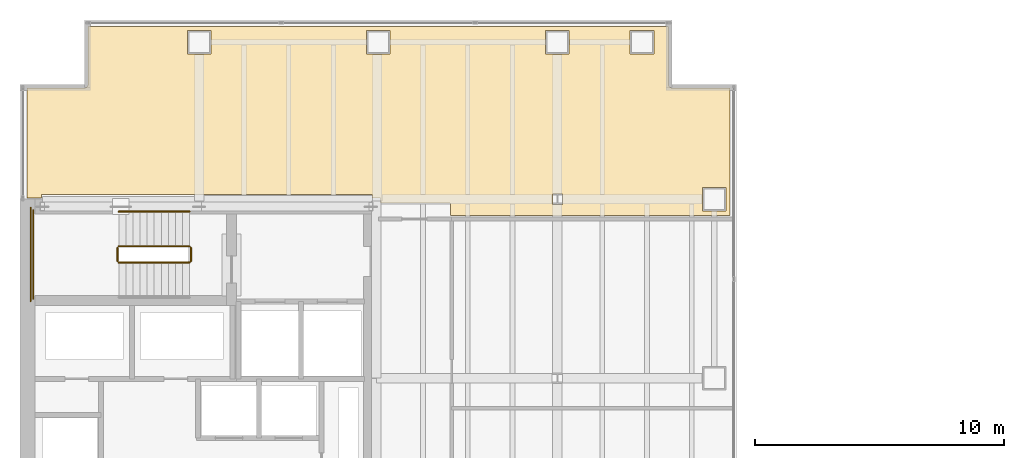
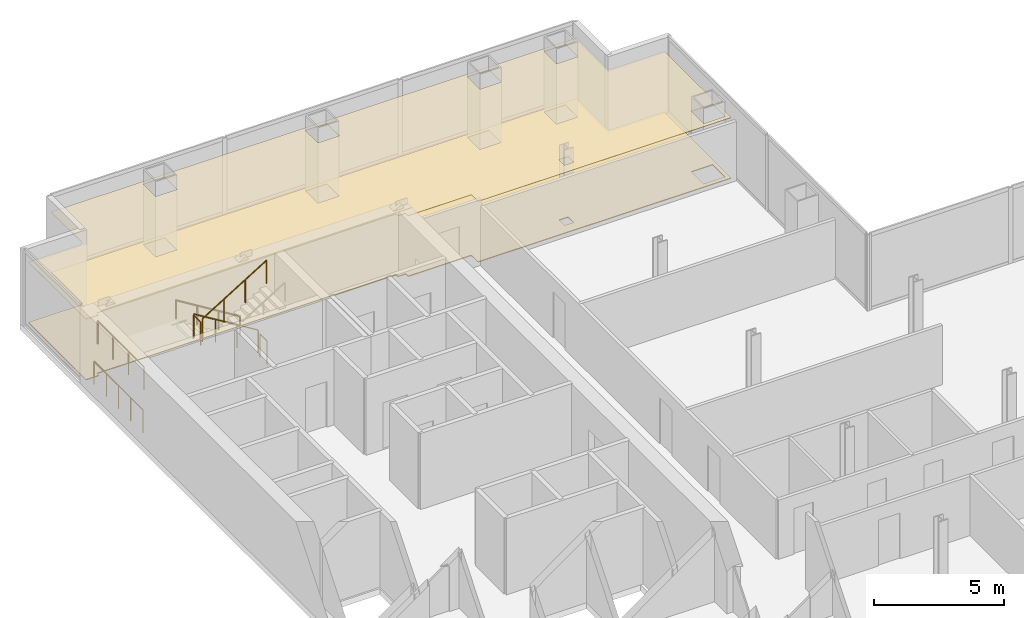
# One storey, part 24 of 24: 7 railings, 2 coverings.
"""IFC4 building model written with IfcOpenShell, lengths in metres."""

import ifcopenshell
import ifcopenshell.guid

model = None  # the IFC model being written
_history = None  # IfcOwnerHistory: only IFC2X3 demands one
_inside = {}  # id of a spatial element -> (the spatial element, [elements in it])
_under = {}  # id of a project, library or spatial element -> (it, [spatial elements below it])
_declared = {}  # id of a project -> (the project, [libraries it declares])
_typed = {}  # id of a type object -> (the type object, [elements of that type])
_made_of = {}  # id of a material, layer set ... -> (it, [elements and type objects made of it])


def new_model(schema):
    """Start an empty IFC model of exactly this schema.

    Asked for "IFC4X3", IfcOpenShell would pick the latest addendum, in which some entities
    have other attributes; the version numbers below select the first issue.
    IFC2X3 requires an IfcOwnerHistory on every rooted entity: one is made here for all.
    """
    global model, _history
    if schema == "IFC4X3":
        model = ifcopenshell.file(schema_version=(4, 3, 0, 0))
    else:
        model = ifcopenshell.file(schema=schema)
    _inside.clear()
    _under.clear()
    _declared.clear()
    _typed.clear()
    _made_of.clear()
    _history = None
    if model.schema == "IFC2X3":
        org = make("IfcOrganization", Name="unknown")
        user = make(
            "IfcPersonAndOrganization",
            ThePerson=make("IfcPerson", FamilyName="unknown"),
            TheOrganization=org,
        )
        app = make(
            "IfcApplication",
            ApplicationDeveloper=org,
            Version="unknown",
            ApplicationFullName="unknown",
            ApplicationIdentifier="unknown",
        )
        _history = make(
            "IfcOwnerHistory",
            OwningUser=user,
            OwningApplication=app,
            ChangeAction="ADDED",
            CreationDate=0,
        )
    return model


def make(cls, **values):
    """One entity of the class cls with the attributes given. An attribute that is None is left unset."""
    return model.create_entity(
        cls, **{name: value for name, value in values.items() if value is not None}
    )


def rooted(cls, **values):
    """An entity with a GlobalId (a new one), such as an element, a storey or a relation."""
    return make(cls, GlobalId=ifcopenshell.guid.new(), OwnerHistory=_history, **values)


def si_unit(unit_type, name, prefix=None):
    """IfcSIUnit, for example si_unit("LENGTHUNIT", "METRE", prefix="MILLI")."""
    return make("IfcSIUnit", UnitType=unit_type, Prefix=prefix, Name=name)


def assignment(units):
    """IfcUnitAssignment: the units of a project."""
    return None if units is None else make("IfcUnitAssignment", Units=units)


def point(xyz):
    """IfcCartesianPoint."""
    return None if xyz is None else make("IfcCartesianPoint", Coordinates=xyz)


def direction(xyz):
    """IfcDirection."""
    return None if xyz is None else make("IfcDirection", DirectionRatios=xyz)


def frame(location, z_axis=None, x_axis=None):
    """IfcAxis2Placement3D, a coordinate frame: its origin and axes. An axis left out is left unset."""
    return make(
        "IfcAxis2Placement3D",
        Location=point(location),
        Axis=direction(z_axis),
        RefDirection=direction(x_axis),
    )


def frame_2d(location, x_axis=None):
    """IfcAxis2Placement2D, a coordinate frame in the plane: its origin and x axis."""
    return make(
        "IfcAxis2Placement2D", Location=point(location), RefDirection=direction(x_axis)
    )


def origin():
    """The frame at (0, 0, 0) with its axes left unset."""
    return frame((0.0, 0.0, 0.0))


def origin_2d():
    """The frame at (0, 0) in the plane with its x axis left unset."""
    return frame_2d((0.0, 0.0))


def place(relative_to, where):
    """IfcLocalPlacement: puts the frame where relative to a parent placement (None: the world)."""
    return make(
        "IfcLocalPlacement", PlacementRelTo=relative_to, RelativePlacement=where
    )


def context(
    kind, dimensions, precision=None, world=None, true_north=None, identifier=None
):
    """IfcGeometricRepresentationContext, for example the 3D "Model" context."""
    return make(
        "IfcGeometricRepresentationContext",
        ContextIdentifier=identifier,
        ContextType=kind,
        CoordinateSpaceDimension=dimensions,
        Precision=precision,
        WorldCoordinateSystem=world,
        TrueNorth=true_north,
    )


def subcontext(parent, identifier, kind, view, scale=None):
    """IfcGeometricRepresentationSubContext, for example "Body" below "Model"."""
    return make(
        "IfcGeometricRepresentationSubContext",
        ContextIdentifier=identifier,
        ContextType=kind,
        ParentContext=parent,
        TargetScale=scale,
        TargetView=view,
    )


def project(units=None, contexts=None):
    """IfcProject with its units and contexts."""
    return rooted(
        "IfcProject",
        Name="project",
        RepresentationContexts=contexts,
        UnitsInContext=assignment(units),
    )


def spatial(cls, under=None, at=None, **own):
    """A site, building, storey or space (cls), placed at a placement, below another one or the project."""
    s = rooted(cls, ObjectPlacement=at, **own)
    if under is not None:
        _under.setdefault(under.id(), (under, []))[1].append(s)
    return s


def polyline(points):
    """IfcPolyline through the points."""
    return make("IfcPolyline", Points=[point(p) for p in points])


def profile(cls, at=None, kind="AREA", **sizes):
    """A parametric profile (cls). Its sizes go by their IFC names, for example OverallWidth=200.0."""
    return make(cls, ProfileType=kind, Position=at, **sizes)


def circle(**sizes):
    """IfcCircleProfileDef."""
    return profile("IfcCircleProfileDef", **sizes)


def outline(outer, holes=None, kind="AREA"):
    """IfcArbitraryClosedProfileDef: a profile drawn as a closed curve; with holes, ...WithVoids."""
    if holes is None:
        return make("IfcArbitraryClosedProfileDef", ProfileType=kind, OuterCurve=outer)
    return make(
        "IfcArbitraryProfileDefWithVoids",
        ProfileType=kind,
        OuterCurve=outer,
        InnerCurves=holes,
    )


def extrude(swept, where, along, depth):
    """IfcExtrudedAreaSolid: the profile swept, set in the frame where, extruded along a direction by depth."""
    return make(
        "IfcExtrudedAreaSolid",
        SweptArea=swept,
        Position=where,
        ExtrudedDirection=direction(along),
        Depth=depth,
    )


def shape(context_of_items, identifier, shape_type, items):
    """IfcShapeRepresentation: the items that make up one representation, for example the "Body"."""
    return make(
        "IfcShapeRepresentation",
        ContextOfItems=context_of_items,
        RepresentationIdentifier=identifier,
        RepresentationType=shape_type,
        Items=items,
    )


def material(Name=None, Category=None):
    """IfcMaterial."""
    return make("IfcMaterial", Name=Name, Category=Category)


def layer(
    of_material, thickness, ventilated=None, Name=None, Category=None, Priority=None
):
    """IfcMaterialLayer: one layer of a wall or slab, of a material (None: an air gap)."""
    return make(
        "IfcMaterialLayer",
        Material=of_material,
        LayerThickness=thickness,
        IsVentilated=ventilated,
        Name=Name,
        Category=Category,
        Priority=Priority,
    )


def layer_set(layers, Name=None):
    """IfcMaterialLayerSet."""
    return make("IfcMaterialLayerSet", MaterialLayers=layers, LayerSetName=Name)


def made_of(thing, what):
    """Note that an element or type object is made of a material, layer set ...; save() writes the relation."""
    if what is not None:
        _made_of.setdefault(what.id(), (what, []))[1].append(thing)
    return thing


def type_object(cls, material=None, **own):
    """A type object (cls), such as IfcWallType, which elements share."""
    return made_of(rooted(cls, **own), material)


def element(
    cls,
    number,
    at=None,
    inside=None,
    cuts=None,
    type_object=None,
    material=None,
    context=None,
    identifier="Body",
    shape_type=None,
    held_by="IfcProductDefinitionShape",
    body=None,
    shapes=None,
    **own,
):
    """One element of the class cls, such as IfcWall. Its Tag is "e" and its number.

    at: its placement. inside: the storey or other place that contains it. cuts: it is an
    opening in that element (IfcRelVoidsElement). A single representation is given by context,
    identifier, shape_type and body (its items); several are given by shapes. held_by: the class
    of the entity that holds the representations. save() writes the other relations.
    """
    e = rooted(cls, Tag="e%d" % number, ObjectPlacement=at, **own)
    if body is not None:
        shapes = [shape(context, identifier, shape_type, body)]
    if shapes is not None:
        e.Representation = make(held_by, Representations=shapes)
    if inside is not None:
        _inside.setdefault(inside.id(), (inside, []))[1].append(e)
    if cuts is not None:
        rooted(
            "IfcRelVoidsElement", RelatingBuildingElement=cuts, RelatedOpeningElement=e
        )
    if type_object is not None:
        _typed.setdefault(type_object.id(), (type_object, []))[1].append(e)
    return made_of(e, material)


def aggregate(whole, parts):
    """IfcRelAggregates: a whole, such as a stair, and the parts it consists of."""
    return rooted("IfcRelAggregates", RelatingObject=whole, RelatedObjects=parts)


def save(model, path):
    """Write the relations noted so far, then the file.

    IfcRelAggregates (storeys below a building ...), IfcRelContainedInSpatialStructure (elements
    in a storey), IfcRelDefinesByType, IfcRelAssociatesMaterial and IfcRelDeclares: one each for
    every whole, place, type object, material and project.
    """
    for whole, parts in _under.values():
        aggregate(whole, parts)
    for where, things in _inside.values():
        rooted(
            "IfcRelContainedInSpatialStructure",
            RelatedElements=things,
            RelatingStructure=where,
        )
    for kind, things in _typed.values():
        rooted("IfcRelDefinesByType", RelatedObjects=things, RelatingType=kind)
    for what, things in _made_of.values():
        rooted("IfcRelAssociatesMaterial", RelatedObjects=things, RelatingMaterial=what)
    for by, libraries in _declared.values():
        rooted("IfcRelDeclares", RelatingContext=by, RelatedDefinitions=libraries)
    model.write(path)


model = new_model("IFC4")

# Units and contexts
model_context = context("Model", 3, precision=1e-05, world=origin(), true_north=direction((0.0, 1.0)))
body_context = subcontext(model_context, "Body", "Model", "MODEL_VIEW")
ifc_project = project(units=[si_unit("LENGTHUNIT", "METRE"), si_unit("AREAUNIT", "SQUARE_METRE"), si_unit("VOLUMEUNIT", "CUBIC_METRE"), si_unit("PLANEANGLEUNIT", "RADIAN"), si_unit("MASSUNIT", "GRAM", prefix="KILO")], contexts=[model_context])

# Site, building, storey
site_placement = place(None, origin())
site = spatial("IfcSite", under=ifc_project, at=site_placement, CompositionType="ELEMENT")
building_placement = place(site_placement, origin())
building = spatial("IfcBuilding", under=site, at=building_placement, Name="Cobrela Telecom Tower", CompositionType="ELEMENT")
storey_placement = place(building_placement, frame((0.0, 0.0, 85.050048828125)))
storey = spatial("IfcBuildingStorey", under=building, at=storey_placement, Name="L21", CompositionType="ELEMENT", Elevation=85.050048828125)

# Coverings
ifc_material_1 = material(Name="Mineral Fibre Acoustic Ceiling Tile")
ifc_layer_1 = layer(ifc_material_1, 0.02490234375)
ifc_layer_set_1 = layer_set([ifc_layer_1], Name="Mineral Fibre Acoustic Ceiling Tile")
covering_type_1 = type_object("IfcCoveringType", Name="COV-CEIL-ACT", PredefinedType="CEILING", material=ifc_layer_set_1)
covering_1_placement = place(storey_placement, frame((0.0, 0.0, 2.849853515625)))
element("IfcCovering", 1, at=covering_1_placement, inside=storey, type_object=covering_type_1, Name="L21 Carrier Operations Office 1 Suspended Acoustic Ceiling", PredefinedType="CEILING", context=body_context, shape_type="SweptSolid", body=[
    extrude(outline(polyline([(14.139892578125, 36.18994140625), (0.860107421875, 36.18994140625), (0.860107421875, 36.0400390625), (0.2900390625, 36.0400390625), (0.2900390625, 40.469970703125), (2.591064453125, 40.469970703125), (2.603759765625, 40.470703125), (2.6171875, 40.47265625), (2.630615234375, 40.47607421875), (2.6435546875, 40.480712890625), (2.656005859375, 40.486572265625), (2.66796875, 40.49365234375), (2.6787109375, 40.501708984375), (2.68896484375, 40.510986328125), (2.6982421875, 40.521240234375), (2.706298828125, 40.531982421875), (2.71337890625, 40.5439453125), (2.719482421875, 40.556396484375), (2.72412109375, 40.5693359375), (2.727294921875, 40.582763671875), (2.7294921875, 40.59619140625), (2.72998046875, 40.60888671875), (2.72998046875, 42.93994140625), (26.070068359375, 42.93994140625), (26.070068359375, 40.60888671875), (26.070556640625, 40.59619140625), (26.072509765625, 40.582763671875), (26.075927734375, 40.5693359375), (26.08056640625, 40.556396484375), (26.08642578125, 40.5439453125), (26.093505859375, 40.531982421875), (26.101806640625, 40.521240234375), (26.111083984375, 40.510986328125), (26.12109375, 40.501708984375), (26.132080078125, 40.49365234375), (26.14404296875, 40.486572265625), (26.156494140625, 40.480712890625), (26.16943359375, 40.47607421875), (26.1826171875, 40.47265625), (26.1962890625, 40.470703125), (26.208984375, 40.469970703125), (28.5400390625, 40.469970703125), (28.5400390625, 35.340087890625), (17.300048828125, 35.340087890625), (17.300048828125, 35.804931640625), (17.298828125, 35.810302734375), (17.2978515625, 35.8154296875), (17.2958984375, 35.820068359375), (17.294677734375, 35.822509765625), (17.291259765625, 35.82861328125), (17.288818359375, 35.831298828125), (17.28564453125, 35.835693359375), (17.28125, 35.8388671875), (17.278564453125, 35.84130859375), (17.272705078125, 35.844482421875), (17.27001953125, 35.845703125), (17.265380859375, 35.847900390625), (17.26025390625, 35.848876953125), (17.2548828125, 35.85009765625), (14.489990234375, 35.85009765625), (14.489990234375, 36.0400390625), (14.139892578125, 36.0400390625), (14.139892578125, 36.18994140625)]), holes=[polyline([(21.804443359375, 35.7880859375), (21.804443359375, 36.2119140625), (21.3955078125, 36.2119140625), (21.3955078125, 35.7880859375), (21.804443359375, 35.7880859375)]), polyline([(28.375, 35.52490234375), (28.375, 36.47509765625), (27.425048828125, 36.47509765625), (27.425048828125, 35.52490234375), (28.375, 35.52490234375)]), polyline([(7.675048828125, 41.824951171875), (7.675048828125, 42.77490234375), (6.72509765625, 42.77490234375), (6.72509765625, 41.824951171875), (7.675048828125, 41.824951171875)]), polyline([(14.875, 41.824951171875), (14.875, 42.77490234375), (13.925048828125, 42.77490234375), (13.925048828125, 41.824951171875), (14.875, 41.824951171875)]), polyline([(22.074951171875, 41.824951171875), (22.074951171875, 42.77490234375), (21.125, 42.77490234375), (21.125, 41.824951171875), (22.074951171875, 41.824951171875)]), polyline([(25.47509765625, 42.77490234375), (24.52490234375, 42.77490234375), (24.52490234375, 41.824951171875), (25.47509765625, 41.824951171875), (25.47509765625, 42.77490234375)])]), origin(), (0.0, 0.0, 1.0), 0.025146484375),
])
ifc_material_2 = material(Name="Honed Colombian Basalt Stone", Category="masonry")
ifc_layer_2 = layer(ifc_material_2, 0.0400390625)
ifc_layer_set_2 = layer_set([ifc_layer_2], Name="Honed Colombian Basalt Stone")
covering_type_2 = type_object("IfcCoveringType", Name="COV-FLR-STONE", PredefinedType="FLOORING", material=ifc_layer_set_2)
covering_2_placement = place(storey_placement, origin())
element("IfcCovering", 2, at=covering_2_placement, inside=storey, type_object=covering_type_2, Name="L21 Carrier Operations Office 1 Raised Technical Flooring", PredefinedType="FLOORING", context=body_context, shape_type="SweptSolid", body=[
    extrude(outline(polyline([(14.139892578125, 36.18994140625), (0.860107421875, 36.18994140625), (0.860107421875, 36.0400390625), (0.2900390625, 36.0400390625), (0.2900390625, 40.469970703125), (2.591064453125, 40.469970703125), (2.603759765625, 40.470703125), (2.6171875, 40.47265625), (2.630615234375, 40.47607421875), (2.6435546875, 40.480712890625), (2.656005859375, 40.486572265625), (2.66796875, 40.49365234375), (2.6787109375, 40.501708984375), (2.68896484375, 40.510986328125), (2.6982421875, 40.521240234375), (2.706298828125, 40.531982421875), (2.71337890625, 40.5439453125), (2.719482421875, 40.556396484375), (2.72412109375, 40.5693359375), (2.727294921875, 40.582763671875), (2.7294921875, 40.59619140625), (2.72998046875, 40.60888671875), (2.72998046875, 42.93994140625), (26.070068359375, 42.93994140625), (26.070068359375, 40.60888671875), (26.070556640625, 40.59619140625), (26.072509765625, 40.582763671875), (26.075927734375, 40.5693359375), (26.08056640625, 40.556396484375), (26.08642578125, 40.5439453125), (26.093505859375, 40.531982421875), (26.101806640625, 40.521240234375), (26.111083984375, 40.510986328125), (26.12109375, 40.501708984375), (26.132080078125, 40.49365234375), (26.14404296875, 40.486572265625), (26.156494140625, 40.480712890625), (26.16943359375, 40.47607421875), (26.1826171875, 40.47265625), (26.1962890625, 40.470703125), (26.208984375, 40.469970703125), (28.5400390625, 40.469970703125), (28.5400390625, 35.340087890625), (17.300048828125, 35.340087890625), (17.300048828125, 35.804931640625), (17.298828125, 35.810302734375), (17.2978515625, 35.8154296875), (17.2958984375, 35.820068359375), (17.294677734375, 35.822509765625), (17.291259765625, 35.82861328125), (17.288818359375, 35.831298828125), (17.28564453125, 35.835693359375), (17.28125, 35.8388671875), (17.278564453125, 35.84130859375), (17.272705078125, 35.844482421875), (17.27001953125, 35.845703125), (17.265380859375, 35.847900390625), (17.26025390625, 35.848876953125), (17.2548828125, 35.85009765625), (14.489990234375, 35.85009765625), (14.489990234375, 36.0400390625), (14.139892578125, 36.0400390625), (14.139892578125, 36.18994140625)]), holes=[polyline([(21.804443359375, 35.7880859375), (21.804443359375, 36.2119140625), (21.3955078125, 36.2119140625), (21.3955078125, 35.7880859375), (21.804443359375, 35.7880859375)]), polyline([(28.375, 35.52490234375), (28.375, 36.47509765625), (27.425048828125, 36.47509765625), (27.425048828125, 35.52490234375), (28.375, 35.52490234375)]), polyline([(7.675048828125, 41.824951171875), (7.675048828125, 42.77490234375), (6.72509765625, 42.77490234375), (6.72509765625, 41.824951171875), (7.675048828125, 41.824951171875)]), polyline([(14.875, 41.824951171875), (14.875, 42.77490234375), (13.925048828125, 42.77490234375), (13.925048828125, 41.824951171875), (14.875, 41.824951171875)]), polyline([(22.074951171875, 41.824951171875), (22.074951171875, 42.77490234375), (21.125, 42.77490234375), (21.125, 41.824951171875), (22.074951171875, 41.824951171875)]), polyline([(25.47509765625, 42.77490234375), (24.52490234375, 42.77490234375), (24.52490234375, 41.824951171875), (25.47509765625, 41.824951171875), (25.47509765625, 42.77490234375)])]), origin(), (0.0, 0.0, 1.0), 0.0400390625),
])

# Railings
ifc_material_3 = material(Name="Steel ASTM A36", Category="steel")
railing_type_1 = type_object("IfcRailingType", Name="RAIL-GUARD-1100", PredefinedType="GUARDRAIL", material=ifc_material_3)
railing_1_placement = place(storey_placement, frame((6.820068359375, 34.10009765625, 0.175048828125)))
element("IfcRailing", 3, at=railing_1_placement, inside=storey, type_object=railing_type_1, Name="L21 ST1 stair guard 1", PredefinedType="GUARDRAIL", context=body_context, shape_type="SweptSolid", body=[
    extrude(circle(Radius=0.02392578125, at=origin_2d()), frame((0.0, 0.0, 1.076171875), z_axis=(-0.852179220489, 0.0, 0.52325001306), x_axis=(0.0, -1.0, 0.0)), (0.0, 0.0, 1.0), 3.344482421875),
    extrude(circle(Radius=0.02099609375, at=origin_2d()), origin(), (0.0, 0.0, 1.0), 1.052001953125),
    extrude(circle(Radius=0.02099609375, at=origin_2d()), frame((-0.949951171875, 0.0, 0.583251953125)), (0.0, 0.0, 1.0), 1.052001953125),
    extrude(circle(Radius=0.02099609375, at=origin_2d()), frame((-1.900146484375, 0.0, 1.166748046875)), (0.0, 0.0, 1.0), 1.052001953125),
    extrude(circle(Radius=0.02099609375, at=origin_2d()), frame((-2.85009765625, 0.0, 1.75)), (0.0, 0.0, 1.0), 1.052001953125),
])
railing_2_placement = place(storey_placement, frame((3.919921875, 34.050048828125, 1.925048828125)))
element("IfcRailing", 4, at=railing_2_placement, inside=storey, type_object=railing_type_1, Name="L21 ST1 stair guard 2", PredefinedType="GUARDRAIL", context=body_context, shape_type="SweptSolid", body=[
    extrude(circle(Radius=0.02392578125, at=origin_2d()), frame((0.0, 0.0, 1.076171875), z_axis=(0.0, -1.0, 0.0), x_axis=(1.0, 0.0, 0.0)), (0.0, 0.0, 1.0), 0.550048828125),
    extrude(circle(Radius=0.02099609375, at=origin_2d()), origin(), (0.0, 0.0, 1.0), 1.052001953125),
    extrude(circle(Radius=0.02099609375, at=origin_2d()), frame((0.0, -0.550048828125, 0.0)), (0.0, 0.0, 1.0), 1.052001953125),
])
railing_3_placement = place(storey_placement, frame((0.530029296875, 35.550048828125, 1.925048828125)))
element("IfcRailing", 5, at=railing_3_placement, inside=storey, type_object=railing_type_1, Name="L21 ST1 stair guard 3", PredefinedType="GUARDRAIL", context=body_context, shape_type="SweptSolid", body=[
    extrude(circle(Radius=0.02392578125, at=origin_2d()), frame((0.0, 0.0, 1.076171875), z_axis=(0.0, -1.0, 0.0), x_axis=(1.0, 0.0, 0.0)), (0.0, 0.0, 1.0), 3.550048828125),
    extrude(circle(Radius=0.02099609375, at=origin_2d()), origin(), (0.0, 0.0, 1.0), 1.052001953125),
    extrude(circle(Radius=0.02099609375, at=origin_2d()), frame((0.0, -1.183349609375, 0.0)), (0.0, 0.0, 1.0), 1.052001953125),
    extrude(circle(Radius=0.02099609375, at=origin_2d()), frame((0.0, -2.36669921875, 0.0)), (0.0, 0.0, 1.0), 1.052001953125),
    extrude(circle(Radius=0.02099609375, at=origin_2d()), frame((0.0, -3.550048828125, 0.0)), (0.0, 0.0, 1.0), 1.052001953125),
])
railing_4_placement = place(storey_placement, frame((3.969970703125, 33.449951171875, 2.099853515625)))
element("IfcRailing", 6, at=railing_4_placement, inside=storey, type_object=railing_type_1, Name="L21 ST1 stair guard 4", PredefinedType="GUARDRAIL", context=body_context, shape_type="SweptSolid", body=[
    extrude(circle(Radius=0.02392578125, at=origin_2d()), frame((0.0, 0.0, 1.076171875), z_axis=(0.852179220489, 0.0, 0.52325001306), x_axis=(0.0, 1.0, 0.0)), (0.0, 0.0, 1.0), 3.344482421875),
    extrude(circle(Radius=0.02099609375, at=origin_2d()), origin(), (0.0, 0.0, 1.0), 1.052001953125),
    extrude(circle(Radius=0.02099609375, at=origin_2d()), frame((0.949951171875, 0.0, 0.583251953125)), (0.0, 0.0, 1.0), 1.052001953125),
    extrude(circle(Radius=0.02099609375, at=origin_2d()), frame((1.900146484375, 0.0, 1.166748046875)), (0.0, 0.0, 1.0), 1.052001953125),
    extrude(circle(Radius=0.02099609375, at=origin_2d()), frame((2.85009765625, 0.0, 1.75)), (0.0, 0.0, 1.0), 1.052001953125),
])
railing_5_placement = place(storey_placement, frame((6.8701171875, 34.050048828125, 0.0)))
element("IfcRailing", 7, at=railing_5_placement, inside=storey, type_object=railing_type_1, Name="L21 ST1 stair guard 5", PredefinedType="GUARDRAIL", context=body_context, shape_type="SweptSolid", body=[
    extrude(circle(Radius=0.02392578125, at=origin_2d()), frame((0.0, 0.0, 1.076171875), z_axis=(0.0, -1.0, 0.0), x_axis=(1.0, 0.0, 0.0)), (0.0, 0.0, 1.0), 0.550048828125),
    extrude(circle(Radius=0.02099609375, at=origin_2d()), origin(), (0.0, 0.0, 1.0), 1.052001953125),
    extrude(circle(Radius=0.02099609375, at=origin_2d()), frame((0.0, -0.550048828125, 0.0)), (0.0, 0.0, 1.0), 1.052001953125),
])
railing_6_placement = place(storey_placement, frame((0.429931640625, 35.64990234375, 0.0)))
element("IfcRailing", 8, at=railing_6_placement, inside=storey, type_object=railing_type_1, Name="L21 ST1 stair guard 6", PredefinedType="GUARDRAIL", context=body_context, shape_type="SweptSolid", body=[
    extrude(circle(Radius=0.02392578125, at=origin_2d()), frame((0.0, 0.0, 1.076171875), z_axis=(0.0, -1.0, 0.0), x_axis=(1.0, 0.0, 0.0)), (0.0, 0.0, 1.0), 3.75),
    extrude(circle(Radius=0.02099609375, at=origin_2d()), origin(), (0.0, 0.0, 1.0), 1.052001953125),
    extrude(circle(Radius=0.02099609375, at=origin_2d()), frame((0.0, -0.9375, 0.0)), (0.0, 0.0, 1.0), 1.052001953125),
    extrude(circle(Radius=0.02099609375, at=origin_2d()), frame((0.0, -1.875, 0.0)), (0.0, 0.0, 1.0), 1.052001953125),
    extrude(circle(Radius=0.02099609375, at=origin_2d()), frame((0.0, -2.8125, 0.0)), (0.0, 0.0, 1.0), 1.052001953125),
    extrude(circle(Radius=0.02099609375, at=origin_2d()), frame((0.0, -3.75, 0.0)), (0.0, 0.0, 1.0), 1.052001953125),
])
railing_type_2 = type_object("IfcRailingType", Name="RAIL-HAND-920", PredefinedType="HANDRAIL", material=ifc_material_3)
railing_7_placement = place(storey_placement, frame((6.820068359375, 35.5, 0.175048828125)))
element("IfcRailing", 9, at=railing_7_placement, inside=storey, type_object=railing_type_2, Name="L21 ST1 stair handrail 1", PredefinedType="HANDRAIL", context=body_context, shape_type="SweptSolid", body=[
    extrude(circle(Radius=0.02392578125, at=origin_2d()), frame((0.0, 0.0, 0.8759765625), z_axis=(-0.852179220489, 0.0, 0.52325001306), x_axis=(0.0, -1.0, 0.0)), (0.0, 0.0, 1.0), 3.344482421875),
    extrude(circle(Radius=0.02099609375, at=origin_2d()), origin(), (0.0, 0.0, 1.0), 0.851806640625),
    extrude(circle(Radius=0.02099609375, at=origin_2d()), frame((-0.949951171875, 0.0, 0.583251953125)), (0.0, 0.0, 1.0), 0.851806640625),
    extrude(circle(Radius=0.02099609375, at=origin_2d()), frame((-1.900146484375, 0.0, 1.166748046875)), (0.0, 0.0, 1.0), 0.851806640625),
    extrude(circle(Radius=0.02099609375, at=origin_2d()), frame((-2.85009765625, 0.0, 1.75)), (0.0, 0.0, 1.0), 0.851806640625),
])

save(model, "model.ifc")
